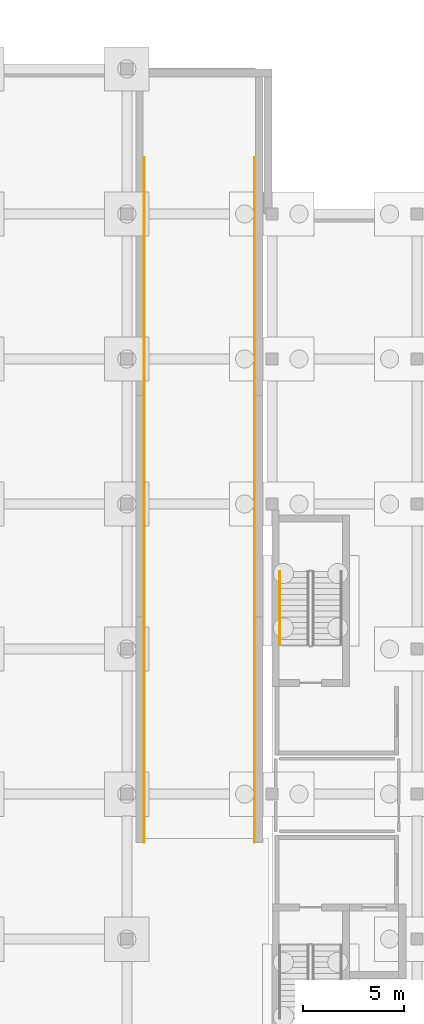
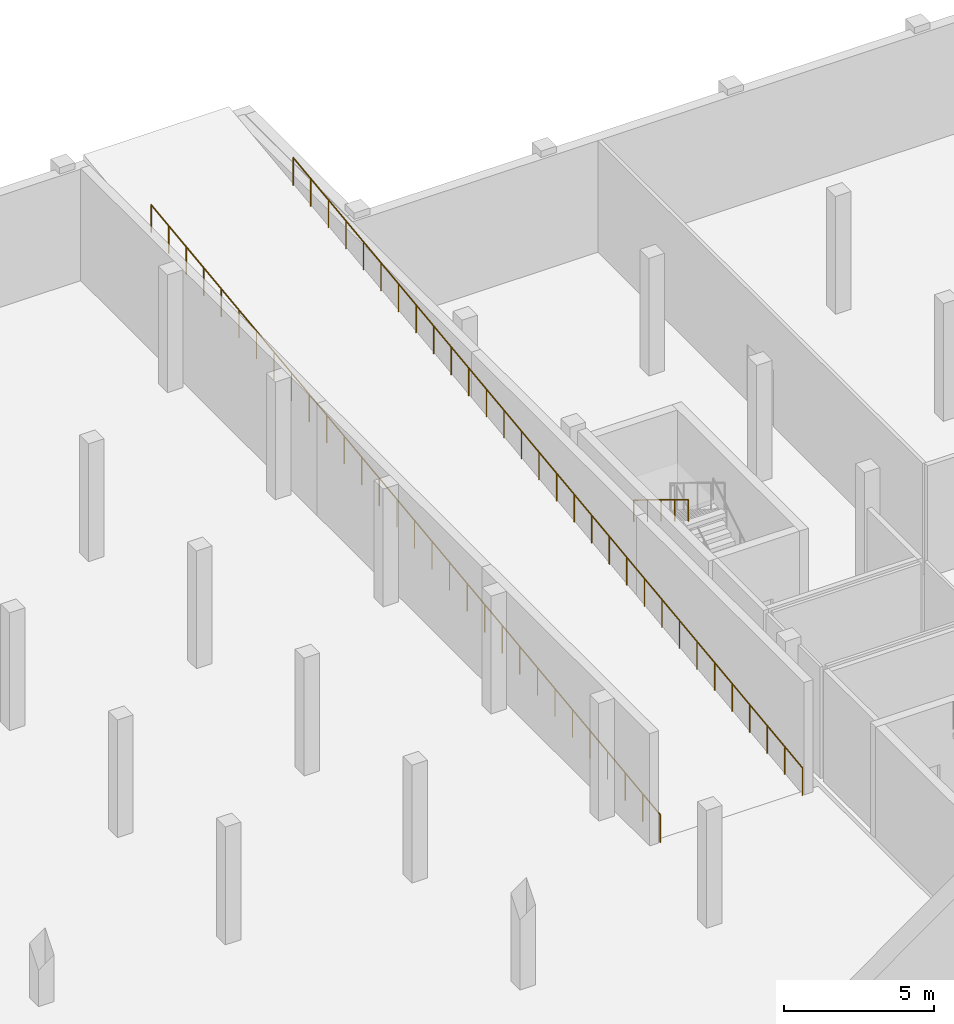
# One storey, part 31 of 35: 3 railings.
"""IFC4 building model written with IfcOpenShell, lengths in metres."""

from ifc_helpers import new_model, si_unit, direction, frame, origin, origin_2d, place, context, subcontext, project, spatial, circle, extrude, material, layer, layer_set, type_object, element, save


model = new_model("IFC4")

# Units and contexts
model_context = context("Model", 3, precision=1e-05, world=origin(), true_north=direction((0.0, 1.0)))
body_context = subcontext(model_context, "Body", "Model", "MODEL_VIEW")
ifc_project = project(units=[si_unit("LENGTHUNIT", "METRE"), si_unit("AREAUNIT", "SQUARE_METRE"), si_unit("VOLUMEUNIT", "CUBIC_METRE"), si_unit("PLANEANGLEUNIT", "RADIAN"), si_unit("MASSUNIT", "GRAM", prefix="KILO")], contexts=[model_context])

# Site, building, storey
site_placement = place(None, origin())
site = spatial("IfcSite", under=ifc_project, at=site_placement, CompositionType="ELEMENT")
building_placement = place(site_placement, origin())
building = spatial("IfcBuilding", under=site, at=building_placement, Name="Zarrinpeak Specialist Clinic", CompositionType="ELEMENT")
storey_placement = place(building_placement, frame((0.0, 0.0, -4.800048828125)))
storey = spatial("IfcBuildingStorey", under=building, at=storey_placement, Name="B01", CompositionType="ELEMENT", Elevation=-4.800048828125)

# Railings
ifc_material_1 = material(Name="Laminated Safety Glass and Stainless Steel 316", Category="steel")
ifc_layer_1 = layer(ifc_material_1, 0.06005859375)
ifc_layer_set_1 = layer_set([ifc_layer_1], Name="Laminated Safety Glass and Stainless Steel 316")
railing_type_1 = type_object("IfcRailingType", Name="RL-GRD115", PredefinedType="GUARDRAIL", material=ifc_layer_set_1)
railing_1_placement = place(storey_placement, frame((87.260009765625, 40.800048828125, 0.0)))
element("IfcRailing", 1, at=railing_1_placement, inside=storey, type_object=railing_type_1, Name="Basement Vehicle Ramp Sloped Edge Guardrail W", PredefinedType="GUARDRAIL", context=body_context, shape_type="SweptSolid", body=[
    extrude(circle(Radius=0.02392578125, at=origin_2d()), frame((0.0, 0.0, 1.1259765625), z_axis=(0.0, 0.992277876714, 0.124034734589), x_axis=(-1.0, 0.0, 0.0)), (0.0, 0.0, 1.0), 34.2646484375),
    extrude(circle(Radius=0.02099609375, at=origin_2d()), origin(), (0.0, 0.0, 1.0), 1.101806640625),
    extrude(circle(Radius=0.02099609375, at=origin_2d()), frame((0.0, 1.17236328125, 0.146484375)), (0.0, 0.0, 1.0), 1.101806640625),
    extrude(circle(Radius=0.02099609375, at=origin_2d()), frame((0.0, 2.3447265625, 0.293212890625)), (0.0, 0.0, 1.0), 1.101806640625),
    extrude(circle(Radius=0.02099609375, at=origin_2d()), frame((0.0, 3.517333984375, 0.439697265625)), (0.0, 0.0, 1.0), 1.101806640625),
    extrude(circle(Radius=0.02099609375, at=origin_2d()), frame((0.0, 4.689697265625, 0.586181640625)), (0.0, 0.0, 1.0), 1.101806640625),
    extrude(circle(Radius=0.02099609375, at=origin_2d()), frame((0.0, 5.862060546875, 0.732666015625)), (0.0, 0.0, 1.0), 1.101806640625),
    extrude(circle(Radius=0.02099609375, at=origin_2d()), frame((0.0, 7.034423828125, 0.87939453125)), (0.0, 0.0, 1.0), 1.101806640625),
    extrude(circle(Radius=0.02099609375, at=origin_2d()), frame((0.0, 8.206787109375, 1.02587890625)), (0.0, 0.0, 1.0), 1.101806640625),
    extrude(circle(Radius=0.02099609375, at=origin_2d()), frame((0.0, 9.37939453125, 1.17236328125)), (0.0, 0.0, 1.0), 1.101806640625),
    extrude(circle(Radius=0.02099609375, at=origin_2d()), frame((0.0, 10.5517578125, 1.31884765625)), (0.0, 0.0, 1.0), 1.101806640625),
    extrude(circle(Radius=0.02099609375, at=origin_2d()), frame((0.0, 11.72412109375, 1.465576171875)), (0.0, 0.0, 1.0), 1.101806640625),
    extrude(circle(Radius=0.02099609375, at=origin_2d()), frame((0.0, 12.896484375, 1.612060546875)), (0.0, 0.0, 1.0), 1.101806640625),
    extrude(circle(Radius=0.02099609375, at=origin_2d()), frame((0.0, 14.06884765625, 1.758544921875)), (0.0, 0.0, 1.0), 1.101806640625),
    extrude(circle(Radius=0.02099609375, at=origin_2d()), frame((0.0, 15.241455078125, 1.9052734375)), (0.0, 0.0, 1.0), 1.101806640625),
    extrude(circle(Radius=0.02099609375, at=origin_2d()), frame((0.0, 16.413818359375, 2.0517578125)), (0.0, 0.0, 1.0), 1.101806640625),
    extrude(circle(Radius=0.02099609375, at=origin_2d()), frame((0.0, 17.586181640625, 2.1982421875)), (0.0, 0.0, 1.0), 1.101806640625),
    extrude(circle(Radius=0.02099609375, at=origin_2d()), frame((0.0, 18.758544921875, 2.3447265625)), (0.0, 0.0, 1.0), 1.101806640625),
    extrude(circle(Radius=0.02099609375, at=origin_2d()), frame((0.0, 19.93115234375, 2.491455078125)), (0.0, 0.0, 1.0), 1.101806640625),
    extrude(circle(Radius=0.02099609375, at=origin_2d()), frame((0.0, 21.103515625, 2.637939453125)), (0.0, 0.0, 1.0), 1.101806640625),
    extrude(circle(Radius=0.02099609375, at=origin_2d()), frame((0.0, 22.27587890625, 2.784423828125)), (0.0, 0.0, 1.0), 1.101806640625),
    extrude(circle(Radius=0.02099609375, at=origin_2d()), frame((0.0, 23.4482421875, 2.93115234375)), (0.0, 0.0, 1.0), 1.101806640625),
    extrude(circle(Radius=0.02099609375, at=origin_2d()), frame((0.0, 24.62060546875, 3.07763671875)), (0.0, 0.0, 1.0), 1.101806640625),
    extrude(circle(Radius=0.02099609375, at=origin_2d()), frame((0.0, 25.793212890625, 3.22412109375)), (0.0, 0.0, 1.0), 1.101806640625),
    extrude(circle(Radius=0.02099609375, at=origin_2d()), frame((0.0, 26.965576171875, 3.37060546875)), (0.0, 0.0, 1.0), 1.101806640625),
    extrude(circle(Radius=0.02099609375, at=origin_2d()), frame((0.0, 28.137939453125, 3.517333984375)), (0.0, 0.0, 1.0), 1.101806640625),
    extrude(circle(Radius=0.02099609375, at=origin_2d()), frame((0.0, 29.310302734375, 3.663818359375)), (0.0, 0.0, 1.0), 1.101806640625),
    extrude(circle(Radius=0.02099609375, at=origin_2d()), frame((0.0, 30.482666015625, 3.810302734375)), (0.0, 0.0, 1.0), 1.101806640625),
    extrude(circle(Radius=0.02099609375, at=origin_2d()), frame((0.0, 31.6552734375, 3.956787109375)), (0.0, 0.0, 1.0), 1.101806640625),
    extrude(circle(Radius=0.02099609375, at=origin_2d()), frame((0.0, 32.82763671875, 4.103515625)), (0.0, 0.0, 1.0), 1.101806640625),
    extrude(circle(Radius=0.02099609375, at=origin_2d()), frame((0.0, 34.0, 4.25)), (0.0, 0.0, 1.0), 1.101806640625),
])
railing_2_placement = place(storey_placement, frame((92.739990234375, 40.800048828125, 0.0)))
element("IfcRailing", 2, at=railing_2_placement, inside=storey, type_object=railing_type_1, Name="Basement Vehicle Ramp Sloped Edge Guardrail E", PredefinedType="GUARDRAIL", context=body_context, shape_type="SweptSolid", body=[
    extrude(circle(Radius=0.02392578125, at=origin_2d()), frame((0.0, 0.0, 1.1259765625), z_axis=(0.0, 0.992277876714, 0.124034734589), x_axis=(-1.0, 0.0, 0.0)), (0.0, 0.0, 1.0), 34.2646484375),
    extrude(circle(Radius=0.02099609375, at=origin_2d()), origin(), (0.0, 0.0, 1.0), 1.101806640625),
    extrude(circle(Radius=0.02099609375, at=origin_2d()), frame((0.0, 1.17236328125, 0.146484375)), (0.0, 0.0, 1.0), 1.101806640625),
    extrude(circle(Radius=0.02099609375, at=origin_2d()), frame((0.0, 2.3447265625, 0.293212890625)), (0.0, 0.0, 1.0), 1.101806640625),
    extrude(circle(Radius=0.02099609375, at=origin_2d()), frame((0.0, 3.517333984375, 0.439697265625)), (0.0, 0.0, 1.0), 1.101806640625),
    extrude(circle(Radius=0.02099609375, at=origin_2d()), frame((0.0, 4.689697265625, 0.586181640625)), (0.0, 0.0, 1.0), 1.101806640625),
    extrude(circle(Radius=0.02099609375, at=origin_2d()), frame((0.0, 5.862060546875, 0.732666015625)), (0.0, 0.0, 1.0), 1.101806640625),
    extrude(circle(Radius=0.02099609375, at=origin_2d()), frame((0.0, 7.034423828125, 0.87939453125)), (0.0, 0.0, 1.0), 1.101806640625),
    extrude(circle(Radius=0.02099609375, at=origin_2d()), frame((0.0, 8.206787109375, 1.02587890625)), (0.0, 0.0, 1.0), 1.101806640625),
    extrude(circle(Radius=0.02099609375, at=origin_2d()), frame((0.0, 9.37939453125, 1.17236328125)), (0.0, 0.0, 1.0), 1.101806640625),
    extrude(circle(Radius=0.02099609375, at=origin_2d()), frame((0.0, 10.5517578125, 1.31884765625)), (0.0, 0.0, 1.0), 1.101806640625),
    extrude(circle(Radius=0.02099609375, at=origin_2d()), frame((0.0, 11.72412109375, 1.465576171875)), (0.0, 0.0, 1.0), 1.101806640625),
    extrude(circle(Radius=0.02099609375, at=origin_2d()), frame((0.0, 12.896484375, 1.612060546875)), (0.0, 0.0, 1.0), 1.101806640625),
    extrude(circle(Radius=0.02099609375, at=origin_2d()), frame((0.0, 14.06884765625, 1.758544921875)), (0.0, 0.0, 1.0), 1.101806640625),
    extrude(circle(Radius=0.02099609375, at=origin_2d()), frame((0.0, 15.241455078125, 1.9052734375)), (0.0, 0.0, 1.0), 1.101806640625),
    extrude(circle(Radius=0.02099609375, at=origin_2d()), frame((0.0, 16.413818359375, 2.0517578125)), (0.0, 0.0, 1.0), 1.101806640625),
    extrude(circle(Radius=0.02099609375, at=origin_2d()), frame((0.0, 17.586181640625, 2.1982421875)), (0.0, 0.0, 1.0), 1.101806640625),
    extrude(circle(Radius=0.02099609375, at=origin_2d()), frame((0.0, 18.758544921875, 2.3447265625)), (0.0, 0.0, 1.0), 1.101806640625),
    extrude(circle(Radius=0.02099609375, at=origin_2d()), frame((0.0, 19.93115234375, 2.491455078125)), (0.0, 0.0, 1.0), 1.101806640625),
    extrude(circle(Radius=0.02099609375, at=origin_2d()), frame((0.0, 21.103515625, 2.637939453125)), (0.0, 0.0, 1.0), 1.101806640625),
    extrude(circle(Radius=0.02099609375, at=origin_2d()), frame((0.0, 22.27587890625, 2.784423828125)), (0.0, 0.0, 1.0), 1.101806640625),
    extrude(circle(Radius=0.02099609375, at=origin_2d()), frame((0.0, 23.4482421875, 2.93115234375)), (0.0, 0.0, 1.0), 1.101806640625),
    extrude(circle(Radius=0.02099609375, at=origin_2d()), frame((0.0, 24.62060546875, 3.07763671875)), (0.0, 0.0, 1.0), 1.101806640625),
    extrude(circle(Radius=0.02099609375, at=origin_2d()), frame((0.0, 25.793212890625, 3.22412109375)), (0.0, 0.0, 1.0), 1.101806640625),
    extrude(circle(Radius=0.02099609375, at=origin_2d()), frame((0.0, 26.965576171875, 3.37060546875)), (0.0, 0.0, 1.0), 1.101806640625),
    extrude(circle(Radius=0.02099609375, at=origin_2d()), frame((0.0, 28.137939453125, 3.517333984375)), (0.0, 0.0, 1.0), 1.101806640625),
    extrude(circle(Radius=0.02099609375, at=origin_2d()), frame((0.0, 29.310302734375, 3.663818359375)), (0.0, 0.0, 1.0), 1.101806640625),
    extrude(circle(Radius=0.02099609375, at=origin_2d()), frame((0.0, 30.482666015625, 3.810302734375)), (0.0, 0.0, 1.0), 1.101806640625),
    extrude(circle(Radius=0.02099609375, at=origin_2d()), frame((0.0, 31.6552734375, 3.956787109375)), (0.0, 0.0, 1.0), 1.101806640625),
    extrude(circle(Radius=0.02099609375, at=origin_2d()), frame((0.0, 32.82763671875, 4.103515625)), (0.0, 0.0, 1.0), 1.101806640625),
    extrude(circle(Radius=0.02099609375, at=origin_2d()), frame((0.0, 34.0, 4.25)), (0.0, 0.0, 1.0), 1.101806640625),
])
ifc_material_2 = material(Name="Brushed Stainless Steel 316 Handrail", Category="steel")
ifc_layer_2 = layer(ifc_material_2, 0.050048828125)
ifc_layer_set_2 = layer_set([ifc_layer_2], Name="Brushed Stainless Steel 316 Handrail")
railing_type_2 = type_object("IfcRailingType", Name="RL-HND92", PredefinedType="HANDRAIL", material=ifc_layer_set_2)
railing_3_placement = place(storey_placement, frame((94.0, 54.239990234375, 2.571533203125)))
element("IfcRailing", 3, at=railing_3_placement, inside=storey, type_object=railing_type_2, Name="B01 ST-06 stair handrail 2", PredefinedType="HANDRAIL", context=body_context, shape_type="SweptSolid", body=[
    extrude(circle(Radius=0.02392578125, at=origin_2d()), frame((0.0, 0.0, 0.8759765625), z_axis=(0.0, -0.852850264322, 0.5221555579), x_axis=(1.0, 0.0, 0.0)), (0.0, 0.0, 1.0), 4.267822265625),
    extrude(circle(Radius=0.02099609375, at=origin_2d()), origin(), (0.0, 0.0, 1.0), 0.851806640625),
    extrude(circle(Radius=0.02099609375, at=origin_2d()), frame((0.0, -0.909912109375, 0.55712890625)), (0.0, 0.0, 1.0), 0.851806640625),
    extrude(circle(Radius=0.02099609375, at=origin_2d()), frame((0.0, -1.81982421875, 1.1142578125)), (0.0, 0.0, 1.0), 0.851806640625),
    extrude(circle(Radius=0.02099609375, at=origin_2d()), frame((0.0, -2.72998046875, 1.67138671875)), (0.0, 0.0, 1.0), 0.851806640625),
    extrude(circle(Radius=0.02099609375, at=origin_2d()), frame((0.0, -3.639892578125, 2.228515625)), (0.0, 0.0, 1.0), 0.851806640625),
])

save(model, "model.ifc")
